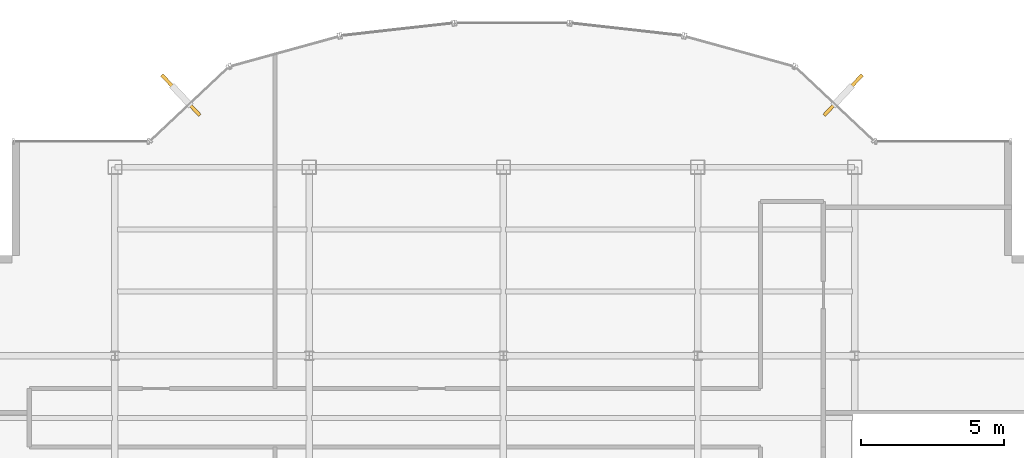
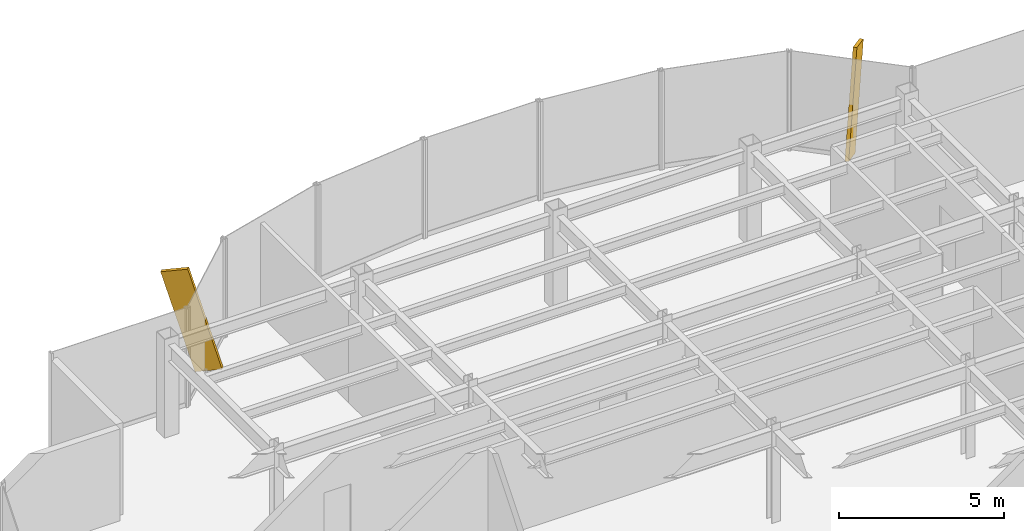
# One storey, part 21 of 22: 2 shading devices.
"""IFC4 building model written with IfcOpenShell, lengths in metres."""

from ifc_helpers import new_model, si_unit, derived_unit, direction, frame, origin, origin_2d, place, context, subcontext, project, spatial, rectangle, extrude, source, transform, mapped, material, type_object, element, save


model = new_model("IFC4")

# Units and contexts
model_context = context("Model", 3, precision=1e-05, world=origin(), true_north=direction((0.0, 1.0)))
body_context = subcontext(model_context, "Body", "Model", "MODEL_VIEW")
ifc_project = project(units=[si_unit("LENGTHUNIT", "METRE"), si_unit("AREAUNIT", "SQUARE_METRE"), si_unit("VOLUMEUNIT", "CUBIC_METRE"), si_unit("PLANEANGLEUNIT", "RADIAN"), si_unit("MASSUNIT", "GRAM", prefix="KILO"), derived_unit("THERMALTRANSMITTANCEUNIT", [(si_unit("POWERUNIT", "WATT"), 1), (si_unit("LENGTHUNIT", "METRE"), -2), (si_unit("THERMODYNAMICTEMPERATUREUNIT", "KELVIN"), -1)])], contexts=[model_context])

# Site, building, storey
site_placement = place(None, origin())
site = spatial("IfcSite", under=ifc_project, at=site_placement, CompositionType="ELEMENT")
building_placement = place(site_placement, origin())
building = spatial("IfcBuilding", under=site, at=building_placement, Name="Skarnbrae Concourse Arena and Tower", CompositionType="ELEMENT")
storey_placement = place(building_placement, frame((0.0, 0.0, 199.550048828125)))
storey = spatial("IfcBuildingStorey", under=building, at=storey_placement, Name="L51", CompositionType="ELEMENT", Elevation=199.550048828125)

# Shading devices
ifc_material = material(Name="Bronze anodised aluminium 6063-T6", Category="aluminium")
shading_device_type = type_object("IfcShadingDeviceType", Name="SHD-BRONZE-FIN-900", PredefinedType="USERDEFINED", material=ifc_material)
shared_shape = source(origin(), body_context, "Body", "SweptSolid", [
    extrude(rectangle(XDim=0.1201171875, YDim=0.89990234375, at=origin_2d()), origin(), (0.0, 0.0, 1.0), 3.64990234375),
])
for number, where, z_axis, x_axis, name in (
    (1, (32.719482421875, 36.522705078125, 0.0830078125), (0.204517004551, 0.217255972062, 0.954448865814), (0.728131751529, -0.685437198009, 0.0), "L51 Outward-leaning bronze shading fin 08"),
    (2, (10.280517578125, 36.522705078125, 0.0830078125), (-0.204517004551, 0.217255972062, 0.954448865814), (0.728131751529, 0.685437198009, 0.0), "L51 Outward-leaning bronze shading fin 14"),
):
    element("IfcShadingDevice", number, at=place(storey_placement, frame(where, z_axis=z_axis, x_axis=x_axis)), inside=storey, type_object=shading_device_type, Name=name, ObjectType="FIN", PredefinedType="USERDEFINED", context=body_context, shape_type="MappedRepresentation", body=[
        mapped(shared_shape, transform((0.0, 0.0, 0.0))),
    ])

save(model, "model.ifc")
